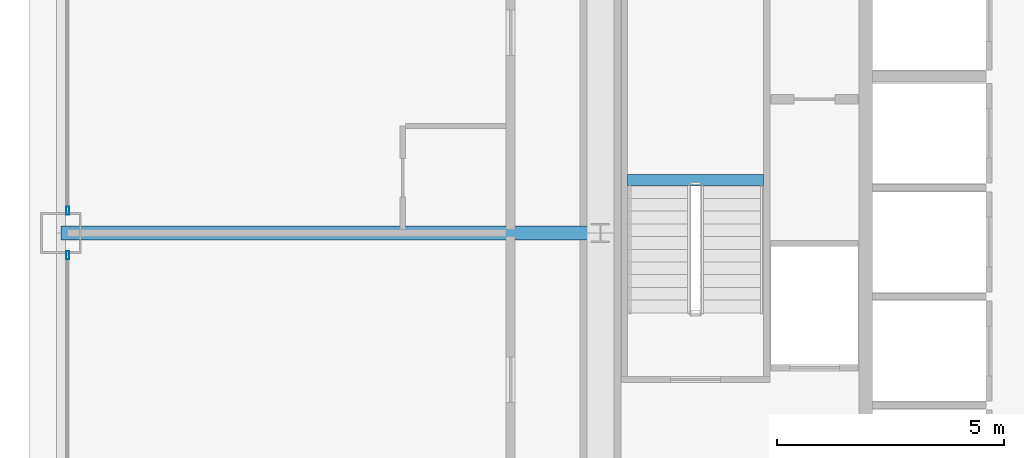
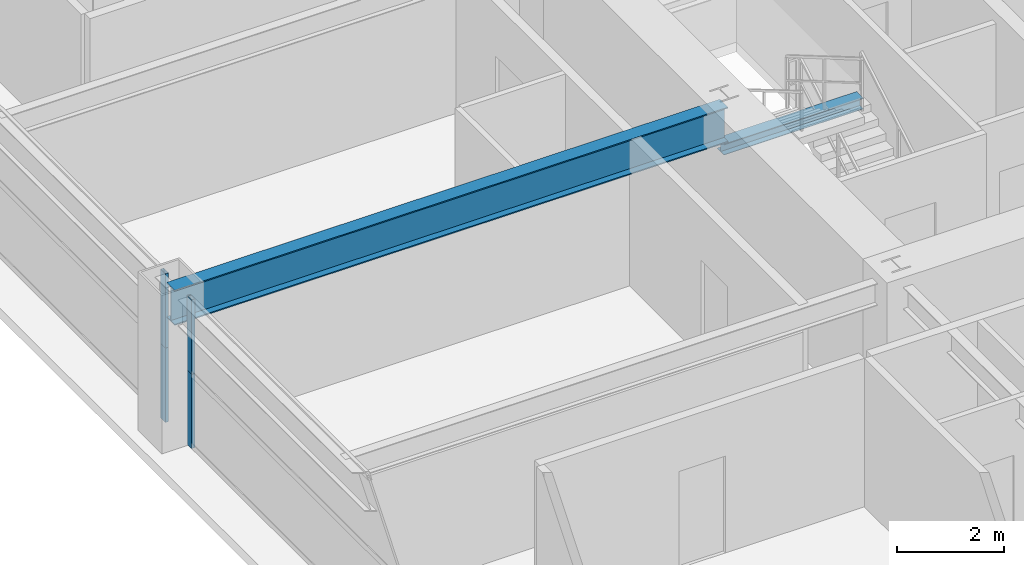
# One storey, part 13 of 43: 4 members, 2 beams, 2 elements without a shape of their own.
"""IFC4 building model written with IfcOpenShell, lengths in metres."""

from ifc_helpers import new_model, si_unit, direction, frame, origin, origin_2d, place, context, subcontext, project, spatial, hollow_rectangle, i_section, extrude, source, transform, mapped, material, layer, layer_set, material_profile, profile_set, type_object, element, aggregate, save


model = new_model("IFC4")

# Units and contexts
model_context = context("Model", 3, precision=1e-05, world=origin(), true_north=direction((0.0, 1.0)))
body_context = subcontext(model_context, "Body", "Model", "MODEL_VIEW")
ifc_project = project(units=[si_unit("LENGTHUNIT", "METRE"), si_unit("AREAUNIT", "SQUARE_METRE"), si_unit("VOLUMEUNIT", "CUBIC_METRE"), si_unit("PLANEANGLEUNIT", "RADIAN"), si_unit("MASSUNIT", "GRAM", prefix="KILO"), si_unit("THERMODYNAMICTEMPERATUREUNIT", "KELVIN"), si_unit("POWERUNIT", "WATT")], contexts=[model_context])

# Site, building, storey
site_placement = place(None, origin())
site = spatial("IfcSite", under=ifc_project, at=site_placement, CompositionType="ELEMENT")
building_placement = place(site_placement, origin())
building = spatial("IfcBuilding", under=site, at=building_placement, Name="Yuzanri Waterfront Tower", CompositionType="ELEMENT")
storey_placement = place(building_placement, frame((0.0, 0.0, 78.39990234375)))
storey = spatial("IfcBuildingStorey", under=building, at=storey_placement, Name="L20", CompositionType="ELEMENT", Elevation=78.39990234375)

# Beam
ifc_material_1 = material(Name="Steel Q355B", Category="steel")
ifc_material_profile_1 = material_profile(ifc_material_1, i_section(OverallWidth=0.300048828125, OverallDepth=0.800048828125, WebThickness=0.013916015625, FlangeThickness=0.02587890625, at=origin_2d()), Name="HN 800x300x14x26")
ifc_profile_set_1 = profile_set([ifc_material_profile_1], Name="Steel Q355B")
beam_type_1 = type_object("IfcBeamType", Name="Primary Floor Girder Q355B HN 800x300", PredefinedType="BEAM", material=ifc_profile_set_1)
shared_shape_1 = source(origin(), body_context, "Body", "SweptSolid", [
    extrude(i_section(OverallWidth=0.300048828125, OverallDepth=0.800048828125, WebThickness=0.013916015625, FlangeThickness=0.02587890625, at=origin_2d()), origin(), (0.0, 0.0, 1.0), 11.900146484375),
])
beam_1_placement = place(storey_placement, frame((23.800048828125, 25.800048828125, 2.97998046875), z_axis=(-1.0, 0.0, 0.0), x_axis=(0.0, -1.0, 0.0)))
element("IfcBeam", 1, at=beam_1_placement, inside=storey, type_object=beam_type_1, Name="L20 West Grid Girder", PredefinedType="BEAM", context=body_context, shape_type="MappedRepresentation", body=[
    mapped(shared_shape_1, transform((0.0, 0.0, 0.0), scale=1.0)),
])

# Curtain wall, members
ifc_material_2 = material(Name="Anodized Architectural Bronze", Category="metal")
ifc_layer = layer(ifc_material_2, 0.159912109375)
ifc_layer_set = layer_set([ifc_layer], Name="Anodized Architectural Bronze")
curtain_wall_type = type_object("IfcCurtainWallType", Name="Anodized Bronze Hotel Lower-Tier Recessed Unitized Curtain Wall 8100", PredefinedType="NOTDEFINED", material=ifc_layer_set)
curtain_wall_1_placement = place(storey_placement, origin())
curtain_wall_1 = element("IfcCurtainWall", 2, at=curtain_wall_1_placement, inside=storey, type_object=curtain_wall_type, Name="L20 Curtain Wall CW-L20-WL", PredefinedType="NOTDEFINED")
ifc_material_3 = material(Name="Anodized Architectural Bronze", Category="metal")
ifc_material_profile_2 = material_profile(ifc_material_3, hollow_rectangle(XDim=0.070068359375, YDim=0.179931640625, WallThickness=0.00390625, at=origin_2d()), Name="CWM 70x180")
ifc_profile_set_2 = profile_set([ifc_material_profile_2], Name="Anodized Architectural Bronze")
member_type = type_object("IfcMemberType", Name="Anodized Bronze Standard Curtain-Wall Mullion 70x180", PredefinedType="MULLION", material=ifc_profile_set_2)
shared_shape_2 = source(origin(), body_context, "Body", "SweptSolid", [
    extrude(hollow_rectangle(XDim=0.070068359375, YDim=0.179931640625, WallThickness=0.00390625, at=origin_2d()), origin(), (0.0, 0.0, 1.0), 1.68798828125),
])
member_1_placement = place(storey_placement, frame((12.050048828125, 25.31005859375, 0.0), z_axis=(0.0, 0.0, 1.0), x_axis=(1.0, 0.0, 0.0)))
member_1 = element("IfcMember", 3, at=member_1_placement, type_object=member_type, Name="CW-L20-WL Lower Mullion 02", PredefinedType="MULLION", context=body_context, shape_type="MappedRepresentation", body=[
    mapped(shared_shape_2, transform((0.0, 0.0, 0.0), scale=1.0)),
])
member_2_placement = place(storey_placement, frame((12.050048828125, 25.31005859375, 1.692138671875), z_axis=(0.0, 0.0, 1.0), x_axis=(1.0, 0.0, 0.0)))
member_2 = element("IfcMember", 4, at=member_2_placement, type_object=member_type, Name="CW-L20-WL Upper Mullion 02", PredefinedType="MULLION", context=body_context, shape_type="MappedRepresentation", body=[
    mapped(shared_shape_2, transform((0.0, 0.0, 0.0), scale=1.0)),
])
aggregate(curtain_wall_1, [member_1, member_2])

curtain_wall_2_placement = place(storey_placement, origin())
curtain_wall_2 = element("IfcCurtainWall", 5, at=curtain_wall_2_placement, inside=storey, type_object=curtain_wall_type, Name="L20 Curtain Wall CW-L20-WR", PredefinedType="NOTDEFINED")
member_3_placement = place(storey_placement, frame((12.050048828125, 26.2900390625, 0.0), z_axis=(0.0, 0.0, 1.0), x_axis=(1.0, 0.0, 0.0)))
member_3 = element("IfcMember", 6, at=member_3_placement, type_object=member_type, Name="CW-L20-WR Lower Mullion 00", PredefinedType="MULLION", context=body_context, shape_type="MappedRepresentation", body=[
    mapped(shared_shape_2, transform((0.0, 0.0, 0.0), scale=1.0)),
])
member_4_placement = place(storey_placement, frame((12.050048828125, 26.2900390625, 1.692138671875), z_axis=(0.0, 0.0, 1.0), x_axis=(1.0, 0.0, 0.0)))
member_4 = element("IfcMember", 7, at=member_4_placement, type_object=member_type, Name="CW-L20-WR Upper Mullion 00", PredefinedType="MULLION", context=body_context, shape_type="MappedRepresentation", body=[
    mapped(shared_shape_2, transform((0.0, 0.0, 0.0), scale=1.0)),
])
aggregate(curtain_wall_2, [member_3, member_4])

# Beam
ifc_material_4 = material(Name="Steel Q355B", Category="steel")
ifc_material_profile_3 = material_profile(ifc_material_4, i_section(OverallWidth=0.25, OverallDepth=0.25, WebThickness=0.009033203125, FlangeThickness=0.013916015625, at=origin_2d()), Name="HW 250x250x9x14")
ifc_profile_set_3 = profile_set([ifc_material_profile_3], Name="Steel Q355B")
beam_type_2 = type_object("IfcBeamType", Name="Stair Landing Support Beam Q355B HW 250x250", PredefinedType="BEAM", material=ifc_profile_set_3)
shared_shape_3 = source(origin(), body_context, "Body", "SweptSolid", [
    extrude(i_section(OverallWidth=0.25, OverallDepth=0.25, WebThickness=0.009033203125, FlangeThickness=0.013916015625, at=origin_2d()), origin(), (0.0, 0.0, 1.0), 3.0),
])
beam_2_placement = place(storey_placement, frame((24.39990234375, 26.969970703125, 1.47509765625), z_axis=(1.0, 0.0, 0.0), x_axis=(0.0, 1.0, 0.0)))
element("IfcBeam", 8, at=beam_2_placement, inside=storey, type_object=beam_type_2, Name="L20 Stair Landing Support Beam ST-01-L20-L1-1", PredefinedType="BEAM", context=body_context, shape_type="MappedRepresentation", body=[
    mapped(shared_shape_3, transform((0.0, 0.0, 0.0), scale=1.0)),
])

save(model, "model.ifc")
